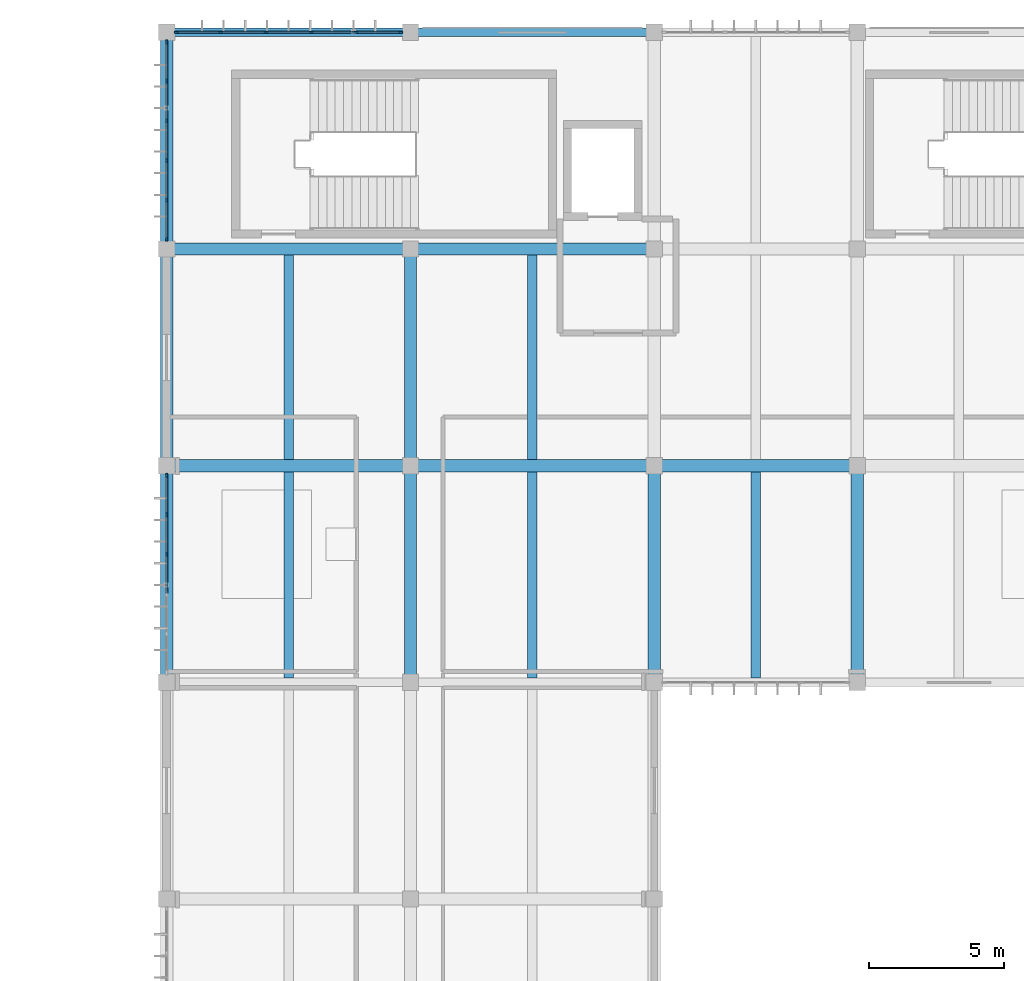
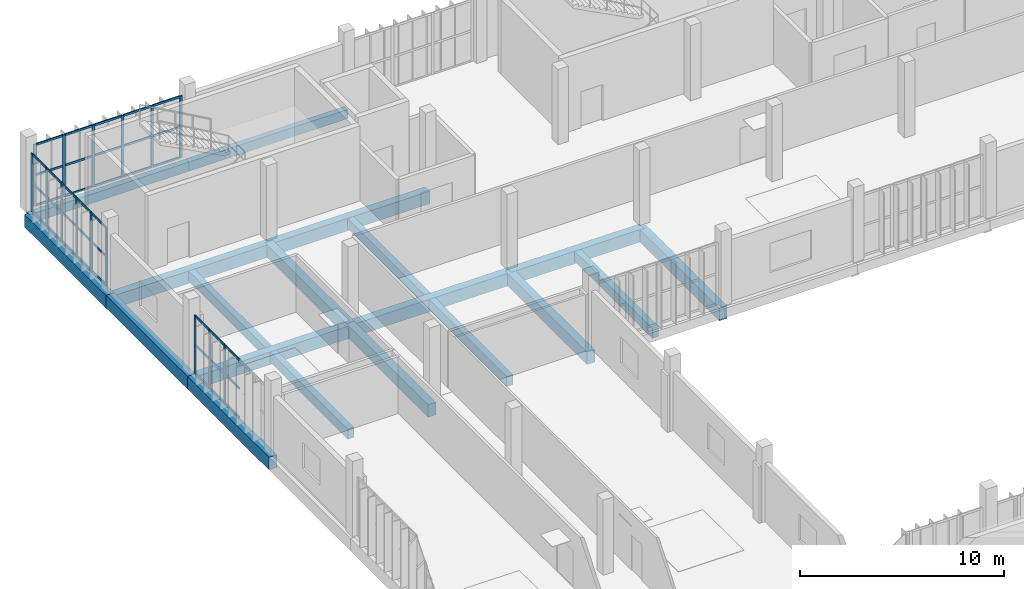
# One storey, part 14 of 81: 54 members, 19 beams, 3 elements without a shape of their own.
"""IFC4 building model written with IfcOpenShell, lengths in metres."""

from ifc_helpers import new_model, si_unit, direction, frame, origin, origin_2d, place, context, subcontext, project, spatial, rectangle, extrude, material, material_profile, profile_set, type_object, element, aggregate, save


model = new_model("IFC4")

# Units and contexts
model_context = context("Model", 3, precision=1e-05, world=origin(), true_north=direction((0.0, 1.0)))
body_context = subcontext(model_context, "Body", "Model", "MODEL_VIEW")
ifc_project = project(units=[si_unit("LENGTHUNIT", "METRE"), si_unit("AREAUNIT", "SQUARE_METRE"), si_unit("VOLUMEUNIT", "CUBIC_METRE"), si_unit("PLANEANGLEUNIT", "RADIAN"), si_unit("MASSUNIT", "GRAM", prefix="KILO")], contexts=[model_context])

# Site, building, storey
site_placement = place(None, origin())
site = spatial("IfcSite", under=ifc_project, at=site_placement, CompositionType="ELEMENT")
building_placement = place(site_placement, origin())
building = spatial("IfcBuilding", under=site, at=building_placement, Name="Vourika Railside Aquatics Centre", CompositionType="ELEMENT")
storey_placement = place(building_placement, frame((0.0, 0.0, 4.800048828125)))
storey = spatial("IfcBuildingStorey", under=building, at=storey_placement, Name="L01", CompositionType="ELEMENT", Elevation=4.800048828125)

# Beams
ifc_material_1 = material(Name="Concrete C35/45", Category="concrete")
ifc_material_profile_1 = material_profile(ifc_material_1, rectangle(XDim=0.449951171875, YDim=0.75, at=origin_2d()), Name="RC 450x750")
ifc_profile_set_1 = profile_set([ifc_material_profile_1], Name="Concrete C35/45")
beam_type_1 = type_object("IfcBeamType", Name="BM-GIRD-450x750", PredefinedType="BEAM", material=ifc_profile_set_1)
for number, where, z_axis, x_axis, name in (
    (1, (18.0, 100.0, -0.675048828125), (1.0, 0.0, 0.0), (0.0, 1.0, 0.0), "Floor Beam GX-L01-124"),
    (2, (27.0, 100.0, -0.675048828125), (1.0, 0.0, 0.0), (0.0, 1.0, 0.0), "Floor Beam GX-L01-125"),
):
    element("IfcBeam", number, at=place(storey_placement, frame(where, z_axis=z_axis, x_axis=x_axis)), inside=storey, type_object=beam_type_1, Name=name, PredefinedType="BEAM", context=body_context, shape_type="SweptSolid", body=[
        extrude(rectangle(XDim=0.449951171875, YDim=0.75, at=origin_2d()), origin(), (0.0, 0.0, 1.0), 9.0),
    ])
beam_placement = place(storey_placement, frame((36.0, 100.0, -0.675048828125), z_axis=(1.0, 0.0, 0.0), x_axis=(0.0, 1.0, 0.0)))
element("IfcBeam", 3, at=beam_placement, inside=storey, type_object=beam_type_1, Name="Floor Beam GX-L01-126", PredefinedType="BEAM", context=body_context, shape_type="SweptSolid", body=[
    extrude(rectangle(XDim=0.449951171875, YDim=0.75, at=origin_2d()), origin(), (0.0, 0.0, 1.0), 7.5),
])
for number, where, z_axis, x_axis, name in (
    (4, (18.0, 108.0, -0.675048828125), (1.0, 0.0, 0.0), (0.0, 1.0, 0.0), "Floor Beam GX-L01-139"),
    (5, (27.0, 108.0, -0.675048828125), (1.0, 0.0, 0.0), (0.0, 1.0, 0.0), "Floor Beam GX-L01-140"),
):
    element("IfcBeam", number, at=place(storey_placement, frame(where, z_axis=z_axis, x_axis=x_axis)), inside=storey, type_object=beam_type_1, Name=name, PredefinedType="BEAM", context=body_context, shape_type="SweptSolid", body=[
        extrude(rectangle(XDim=0.449951171875, YDim=0.75, at=origin_2d()), origin(), (0.0, 0.0, 1.0), 9.0),
    ])
for number, where, z_axis, x_axis, name in (
    (6, (18.0, 92.0, -0.675048828125), (0.0, 1.0, 0.0), (-1.0, 0.0, 0.0), "Floor Girder GY-L01-178"),
    (7, (18.0, 100.0, -0.675048828125), (0.0, 1.0, 0.0), (-1.0, 0.0, 0.0), "Floor Girder GY-L01-179"),
    (8, (18.0, 108.0, -0.675048828125), (0.0, 1.0, 0.0), (-1.0, 0.0, 0.0), "Floor Girder GY-L01-180"),
    (9, (27.0, 92.0, -0.675048828125), (0.0, 1.0, 0.0), (-1.0, 0.0, 0.0), "Floor Girder GY-L01-186"),
    (10, (27.0, 100.0, -0.675048828125), (0.0, 1.0, 0.0), (-1.0, 0.0, 0.0), "Floor Girder GY-L01-187"),
    (11, (36.0, 92.0, -0.675048828125), (0.0, 1.0, 0.0), (-1.0, 0.0, 0.0), "Floor Girder GY-L01-199"),
    (12, (43.5, 92.0, -0.675048828125), (0.0, 1.0, 0.0), (-1.0, 0.0, 0.0), "Floor Girder GY-L01-204"),
):
    element("IfcBeam", number, at=place(storey_placement, frame(where, z_axis=z_axis, x_axis=x_axis)), inside=storey, type_object=beam_type_1, Name=name, PredefinedType="BEAM", context=body_context, shape_type="SweptSolid", body=[
        extrude(rectangle(XDim=0.449951171875, YDim=0.75, at=origin_2d()), origin(), (0.0, 0.0, 1.0), 8.0),
    ])
ifc_material_profile_2 = material_profile(ifc_material_1, rectangle(XDim=0.35009765625, YDim=0.60009765625, at=origin_2d()), Name="RC 350x600")
ifc_profile_set_2 = profile_set([ifc_material_profile_2], Name="Concrete C35/45")
beam_type_2 = type_object("IfcBeamType", Name="BM-SEC-350x600", PredefinedType="JOIST", material=ifc_profile_set_2)
for number, where, z_axis, x_axis, name in (
    (13, (22.5, 92.159912109375, -0.60009765625), (0.0, 1.0, 0.0), (-1.0, 0.0, 0.0), "Secondary Joist JY-L01-351"),
    (14, (31.5, 92.159912109375, -0.60009765625), (0.0, 1.0, 0.0), (-1.0, 0.0, 0.0), "Secondary Joist JY-L01-352"),
    (15, (39.75, 92.159912109375, -0.60009765625), (0.0, 1.0, 0.0), (-1.0, 0.0, 0.0), "Secondary Joist JY-L01-353"),
):
    element("IfcBeam", number, at=place(storey_placement, frame(where, z_axis=z_axis, x_axis=x_axis)), inside=storey, type_object=beam_type_2, Name=name, PredefinedType="JOIST", context=body_context, shape_type="SweptSolid", body=[
        extrude(rectangle(XDim=0.35009765625, YDim=0.60009765625, at=origin_2d()), origin(), (0.0, 0.0, 1.0), 7.614990234375),
    ])
for number, where, z_axis, x_axis, name in (
    (16, (22.5, 100.22509765625, -0.60009765625), (0.0, 1.0, 0.0), (-1.0, 0.0, 0.0), "Secondary Joist JY-L01-366"),
    (17, (31.5, 100.22509765625, -0.60009765625), (0.0, 1.0, 0.0), (-1.0, 0.0, 0.0), "Secondary Joist JY-L01-367"),
):
    element("IfcBeam", number, at=place(storey_placement, frame(where, z_axis=z_axis, x_axis=x_axis)), inside=storey, type_object=beam_type_2, Name=name, PredefinedType="JOIST", context=body_context, shape_type="SweptSolid", body=[
        extrude(rectangle(XDim=0.35009765625, YDim=0.60009765625, at=origin_2d()), origin(), (0.0, 0.0, 1.0), 7.5498046875),
    ])
ifc_material_profile_3 = material_profile(ifc_material_1, rectangle(XDim=0.320068359375, YDim=0.550048828125, at=origin_2d()), Name="RC 320x550")
ifc_profile_set_3 = profile_set([ifc_material_profile_3], Name="Concrete C35/45")
beam_type_3 = type_object("IfcBeamType", Name="BM-SPAN-320x550", PredefinedType="SPANDREL", material=ifc_profile_set_3)
for number, where, z_axis, x_axis, name in (
    (18, (18.0, 116.0, -0.574951171875), (1.0, 0.0, 0.0), (0.0, 1.0, 0.0), "Floor Beam GX-L01-154"),
    (19, (27.0, 116.0, -0.574951171875), (1.0, 0.0, 0.0), (0.0, 1.0, 0.0), "Floor Beam GX-L01-155"),
):
    element("IfcBeam", number, at=place(storey_placement, frame(where, z_axis=z_axis, x_axis=x_axis)), inside=storey, type_object=beam_type_3, Name=name, PredefinedType="SPANDREL", context=body_context, shape_type="SweptSolid", body=[
        extrude(rectangle(XDim=0.320068359375, YDim=0.550048828125, at=origin_2d()), origin(), (0.0, 0.0, 1.0), 9.0),
    ])

# Curtain wall, members
ifc_material_2 = material(Name="Anodized thermally broken aluminium", Category="aluminium")
curtain_wall_type = type_object("IfcCurtainWallType", Name="CW-FIT1", PredefinedType="NOTDEFINED", material=ifc_material_2)
curtain_wall_1_placement = place(storey_placement, origin())
curtain_wall_1 = element("IfcCurtainWall", 20, at=curtain_wall_1_placement, inside=storey, type_object=curtain_wall_type, Name="North Boulevard Curtain Wall L01-1", PredefinedType="NOTDEFINED")
ifc_material_3 = material(Name="Anodized aluminium mullion", Category="aluminium")
ifc_material_profile_4 = material_profile(ifc_material_3, rectangle(XDim=0.06201171875, YDim=0.156005859375, at=origin_2d()), Name="ALU-M 62x156")
ifc_profile_set_4 = profile_set([ifc_material_profile_4], Name="Anodized aluminium mullion")
member_type_1 = type_object("IfcMemberType", Name="CWM-FIT1", PredefinedType="MULLION", material=ifc_profile_set_4)
member_1_placement = place(storey_placement, frame((26.638916015625, 116.0, 0.0), z_axis=(0.0, 0.0, 1.0), x_axis=(0.0, -1.0, 0.0)))
member_1 = element("IfcMember", 21, at=member_1_placement, type_object=member_type_1, Name="CW15 mullion 1", PredefinedType="MULLION", context=body_context, shape_type="SweptSolid", body=[
    extrude(rectangle(XDim=0.06201171875, YDim=0.156005859375, at=origin_2d()), origin(), (0.0, 0.0, 1.0), 3.699951171875),
])
member_2_placement = place(storey_placement, frame((25.001953125, 116.0, 0.0), z_axis=(0.0, 0.0, 1.0), x_axis=(0.0, -1.0, 0.0)))
member_2 = element("IfcMember", 22, at=member_2_placement, type_object=member_type_1, Name="CW15 mullion 2", PredefinedType="MULLION", context=body_context, shape_type="SweptSolid", body=[
    extrude(rectangle(XDim=0.06201171875, YDim=0.156005859375, at=origin_2d()), origin(), (0.0, 0.0, 1.0), 3.699951171875),
])
member_3_placement = place(storey_placement, frame((23.333984375, 116.0, 0.0), z_axis=(0.0, 0.0, 1.0), x_axis=(0.0, -1.0, 0.0)))
member_3 = element("IfcMember", 23, at=member_3_placement, type_object=member_type_1, Name="CW15 mullion 3", PredefinedType="MULLION", context=body_context, shape_type="SweptSolid", body=[
    extrude(rectangle(XDim=0.06201171875, YDim=0.156005859375, at=origin_2d()), origin(), (0.0, 0.0, 1.0), 3.699951171875),
])
member_4_placement = place(storey_placement, frame((21.666015625, 116.0, 0.0), z_axis=(0.0, 0.0, 1.0), x_axis=(0.0, -1.0, 0.0)))
member_4 = element("IfcMember", 24, at=member_4_placement, type_object=member_type_1, Name="CW15 mullion 4", PredefinedType="MULLION", context=body_context, shape_type="SweptSolid", body=[
    extrude(rectangle(XDim=0.06201171875, YDim=0.156005859375, at=origin_2d()), origin(), (0.0, 0.0, 1.0), 3.699951171875),
])
member_5_placement = place(storey_placement, frame((19.998046875, 116.0, 0.0), z_axis=(0.0, 0.0, 1.0), x_axis=(0.0, -1.0, 0.0)))
member_5 = element("IfcMember", 25, at=member_5_placement, type_object=member_type_1, Name="CW15 mullion 5", PredefinedType="MULLION", context=body_context, shape_type="SweptSolid", body=[
    extrude(rectangle(XDim=0.06201171875, YDim=0.156005859375, at=origin_2d()), origin(), (0.0, 0.0, 1.0), 3.699951171875),
])
member_6_placement = place(storey_placement, frame((18.361083984375, 116.0, 0.0), z_axis=(0.0, 0.0, 1.0), x_axis=(0.0, -1.0, 0.0)))
member_6 = element("IfcMember", 26, at=member_6_placement, type_object=member_type_1, Name="CW15 mullion 6", PredefinedType="MULLION", context=body_context, shape_type="SweptSolid", body=[
    extrude(rectangle(XDim=0.06201171875, YDim=0.156005859375, at=origin_2d()), origin(), (0.0, 0.0, 1.0), 3.699951171875),
])

curtain_wall_2_placement = place(storey_placement, origin())
curtain_wall_2 = element("IfcCurtainWall", 27, at=curtain_wall_2_placement, inside=storey, type_object=curtain_wall_type, Name="Fitness West Boulevard Curtain Wall L01-5", PredefinedType="NOTDEFINED")
member_7_placement = place(storey_placement, frame((18.0, 99.638916015625, 0.0), z_axis=(0.0, 0.0, 1.0), x_axis=(1.0, 0.0, 0.0)))
member_7 = element("IfcMember", 28, at=member_7_placement, type_object=member_type_1, Name="CW15 mullion 1", PredefinedType="MULLION", context=body_context, shape_type="SweptSolid", body=[
    extrude(rectangle(XDim=0.06201171875, YDim=0.156005859375, at=origin_2d()), origin(), (0.0, 0.0, 1.0), 3.5),
])
member_8_placement = place(storey_placement, frame((18.0, 98.201904296875, 0.0), z_axis=(0.0, 0.0, 1.0), x_axis=(1.0, 0.0, 0.0)))
member_8 = element("IfcMember", 29, at=member_8_placement, type_object=member_type_1, Name="CW15 mullion 2", PredefinedType="MULLION", context=body_context, shape_type="SweptSolid", body=[
    extrude(rectangle(XDim=0.06201171875, YDim=0.156005859375, at=origin_2d()), origin(), (0.0, 0.0, 1.0), 3.5),
])
member_9_placement = place(storey_placement, frame((18.0, 96.73388671875, 0.0), z_axis=(0.0, 0.0, 1.0), x_axis=(1.0, 0.0, 0.0)))
member_9 = element("IfcMember", 30, at=member_9_placement, type_object=member_type_1, Name="CW15 mullion 3", PredefinedType="MULLION", context=body_context, shape_type="SweptSolid", body=[
    extrude(rectangle(XDim=0.06201171875, YDim=0.156005859375, at=origin_2d()), origin(), (0.0, 0.0, 1.0), 3.5),
])

curtain_wall_3_placement = place(storey_placement, origin())
curtain_wall_3 = element("IfcCurtainWall", 31, at=curtain_wall_3_placement, inside=storey, type_object=curtain_wall_type, Name="Fitness West Boulevard Curtain Wall L01-7", PredefinedType="NOTDEFINED")
member_10_placement = place(storey_placement, frame((18.0, 115.638916015625, 0.0), z_axis=(0.0, 0.0, 1.0), x_axis=(1.0, 0.0, 0.0)))
member_10 = element("IfcMember", 32, at=member_10_placement, type_object=member_type_1, Name="CW15 mullion 1", PredefinedType="MULLION", context=body_context, shape_type="SweptSolid", body=[
    extrude(rectangle(XDim=0.06201171875, YDim=0.156005859375, at=origin_2d()), origin(), (0.0, 0.0, 1.0), 3.5),
])
member_11_placement = place(storey_placement, frame((18.0, 114.201904296875, 0.0), z_axis=(0.0, 0.0, 1.0), x_axis=(1.0, 0.0, 0.0)))
member_11 = element("IfcMember", 33, at=member_11_placement, type_object=member_type_1, Name="CW15 mullion 2", PredefinedType="MULLION", context=body_context, shape_type="SweptSolid", body=[
    extrude(rectangle(XDim=0.06201171875, YDim=0.156005859375, at=origin_2d()), origin(), (0.0, 0.0, 1.0), 3.5),
])
member_12_placement = place(storey_placement, frame((18.0, 112.73388671875, 0.0), z_axis=(0.0, 0.0, 1.0), x_axis=(1.0, 0.0, 0.0)))
member_12 = element("IfcMember", 34, at=member_12_placement, type_object=member_type_1, Name="CW15 mullion 3", PredefinedType="MULLION", context=body_context, shape_type="SweptSolid", body=[
    extrude(rectangle(XDim=0.06201171875, YDim=0.156005859375, at=origin_2d()), origin(), (0.0, 0.0, 1.0), 3.5),
])
member_13_placement = place(storey_placement, frame((18.0, 111.26611328125, 0.0), z_axis=(0.0, 0.0, 1.0), x_axis=(1.0, 0.0, 0.0)))
member_13 = element("IfcMember", 35, at=member_13_placement, type_object=member_type_1, Name="CW15 mullion 4", PredefinedType="MULLION", context=body_context, shape_type="SweptSolid", body=[
    extrude(rectangle(XDim=0.06201171875, YDim=0.156005859375, at=origin_2d()), origin(), (0.0, 0.0, 1.0), 3.5),
])
member_14_placement = place(storey_placement, frame((18.0, 109.798095703125, 0.0), z_axis=(0.0, 0.0, 1.0), x_axis=(1.0, 0.0, 0.0)))
member_14 = element("IfcMember", 36, at=member_14_placement, type_object=member_type_1, Name="CW15 mullion 5", PredefinedType="MULLION", context=body_context, shape_type="SweptSolid", body=[
    extrude(rectangle(XDim=0.06201171875, YDim=0.156005859375, at=origin_2d()), origin(), (0.0, 0.0, 1.0), 3.5),
])
member_15_placement = place(storey_placement, frame((18.0, 108.361083984375, 0.0), z_axis=(0.0, 0.0, 1.0), x_axis=(1.0, 0.0, 0.0)))
member_15 = element("IfcMember", 37, at=member_15_placement, type_object=member_type_1, Name="CW15 mullion 6", PredefinedType="MULLION", context=body_context, shape_type="SweptSolid", body=[
    extrude(rectangle(XDim=0.06201171875, YDim=0.156005859375, at=origin_2d()), origin(), (0.0, 0.0, 1.0), 3.5),
])

# Member
ifc_material_4 = material(Name="Anodized aluminium transom", Category="aluminium")
ifc_material_profile_5 = material_profile(ifc_material_4, rectangle(XDim=0.06201171875, YDim=0.1220703125, at=origin_2d()), Name="ALU-T 62x122")
ifc_profile_set_5 = profile_set([ifc_material_profile_5], Name="Anodized aluminium transom")
member_type_2 = type_object("IfcMemberType", Name="CWT-FIT1", PredefinedType="USERDEFINED", material=ifc_profile_set_5)
member_16_placement = place(storey_placement, frame((26.60791015625, 116.0, 0.031005859375), z_axis=(-1.0, 0.0, 0.0), x_axis=(0.0, -1.0, 0.0)))
member_16 = element("IfcMember", 38, at=member_16_placement, type_object=member_type_2, Name="CW15 transom 1.1", ObjectType="TRANSOM", PredefinedType="USERDEFINED", context=body_context, shape_type="SweptSolid", body=[
    extrude(rectangle(XDim=0.06201171875, YDim=0.1220703125, at=origin_2d()), origin(), (0.0, 0.0, 1.0), 1.574951171875),
])

member_17_placement = place(storey_placement, frame((26.60791015625, 116.0, 1.849853515625), z_axis=(-1.0, 0.0, 0.0), x_axis=(0.0, -1.0, 0.0)))
member_17 = element("IfcMember", 39, at=member_17_placement, type_object=member_type_2, Name="CW15 transom 1.2", ObjectType="TRANSOM", PredefinedType="USERDEFINED", context=body_context, shape_type="SweptSolid", body=[
    extrude(rectangle(XDim=0.06201171875, YDim=0.1220703125, at=origin_2d()), origin(), (0.0, 0.0, 1.0), 1.574951171875),
])

member_18_placement = place(storey_placement, frame((26.60791015625, 116.0, 3.6689453125), z_axis=(-1.0, 0.0, 0.0), x_axis=(0.0, -1.0, 0.0)))
member_18 = element("IfcMember", 40, at=member_18_placement, type_object=member_type_2, Name="CW15 transom 1.3", ObjectType="TRANSOM", PredefinedType="USERDEFINED", context=body_context, shape_type="SweptSolid", body=[
    extrude(rectangle(XDim=0.06201171875, YDim=0.1220703125, at=origin_2d()), origin(), (0.0, 0.0, 1.0), 1.574951171875),
])

member_19_placement = place(storey_placement, frame((24.970947265625, 116.0, 0.031005859375), z_axis=(-1.0, 0.0, 0.0), x_axis=(0.0, -1.0, 0.0)))
member_19 = element("IfcMember", 41, at=member_19_placement, type_object=member_type_2, Name="CW15 transom 2.1", ObjectType="TRANSOM", PredefinedType="USERDEFINED", context=body_context, shape_type="SweptSolid", body=[
    extrude(rectangle(XDim=0.06201171875, YDim=0.1220703125, at=origin_2d()), origin(), (0.0, 0.0, 1.0), 1.60595703125),
])

member_20_placement = place(storey_placement, frame((24.970947265625, 116.0, 1.849853515625), z_axis=(-1.0, 0.0, 0.0), x_axis=(0.0, -1.0, 0.0)))
member_20 = element("IfcMember", 42, at=member_20_placement, type_object=member_type_2, Name="CW15 transom 2.2", ObjectType="TRANSOM", PredefinedType="USERDEFINED", context=body_context, shape_type="SweptSolid", body=[
    extrude(rectangle(XDim=0.06201171875, YDim=0.1220703125, at=origin_2d()), origin(), (0.0, 0.0, 1.0), 1.60595703125),
])

member_21_placement = place(storey_placement, frame((24.970947265625, 116.0, 3.6689453125), z_axis=(-1.0, 0.0, 0.0), x_axis=(0.0, -1.0, 0.0)))
member_21 = element("IfcMember", 43, at=member_21_placement, type_object=member_type_2, Name="CW15 transom 2.3", ObjectType="TRANSOM", PredefinedType="USERDEFINED", context=body_context, shape_type="SweptSolid", body=[
    extrude(rectangle(XDim=0.06201171875, YDim=0.1220703125, at=origin_2d()), origin(), (0.0, 0.0, 1.0), 1.60595703125),
])

member_22_placement = place(storey_placement, frame((23.302978515625, 116.0, 0.031005859375), z_axis=(-1.0, 0.0, 0.0), x_axis=(0.0, -1.0, 0.0)))
member_22 = element("IfcMember", 44, at=member_22_placement, type_object=member_type_2, Name="CW15 transom 3.1", ObjectType="TRANSOM", PredefinedType="USERDEFINED", context=body_context, shape_type="SweptSolid", body=[
    extrude(rectangle(XDim=0.06201171875, YDim=0.1220703125, at=origin_2d()), origin(), (0.0, 0.0, 1.0), 1.60595703125),
])

member_23_placement = place(storey_placement, frame((23.302978515625, 116.0, 1.849853515625), z_axis=(-1.0, 0.0, 0.0), x_axis=(0.0, -1.0, 0.0)))
member_23 = element("IfcMember", 45, at=member_23_placement, type_object=member_type_2, Name="CW15 transom 3.2", ObjectType="TRANSOM", PredefinedType="USERDEFINED", context=body_context, shape_type="SweptSolid", body=[
    extrude(rectangle(XDim=0.06201171875, YDim=0.1220703125, at=origin_2d()), origin(), (0.0, 0.0, 1.0), 1.60595703125),
])

member_24_placement = place(storey_placement, frame((23.302978515625, 116.0, 3.6689453125), z_axis=(-1.0, 0.0, 0.0), x_axis=(0.0, -1.0, 0.0)))
member_24 = element("IfcMember", 46, at=member_24_placement, type_object=member_type_2, Name="CW15 transom 3.3", ObjectType="TRANSOM", PredefinedType="USERDEFINED", context=body_context, shape_type="SweptSolid", body=[
    extrude(rectangle(XDim=0.06201171875, YDim=0.1220703125, at=origin_2d()), origin(), (0.0, 0.0, 1.0), 1.60595703125),
])

member_25_placement = place(storey_placement, frame((21.635009765625, 116.0, 0.031005859375), z_axis=(-1.0, 0.0, 0.0), x_axis=(0.0, -1.0, 0.0)))
member_25 = element("IfcMember", 47, at=member_25_placement, type_object=member_type_2, Name="CW15 transom 4.1", ObjectType="TRANSOM", PredefinedType="USERDEFINED", context=body_context, shape_type="SweptSolid", body=[
    extrude(rectangle(XDim=0.06201171875, YDim=0.1220703125, at=origin_2d()), origin(), (0.0, 0.0, 1.0), 1.60595703125),
])

member_26_placement = place(storey_placement, frame((21.635009765625, 116.0, 1.849853515625), z_axis=(-1.0, 0.0, 0.0), x_axis=(0.0, -1.0, 0.0)))
member_26 = element("IfcMember", 48, at=member_26_placement, type_object=member_type_2, Name="CW15 transom 4.2", ObjectType="TRANSOM", PredefinedType="USERDEFINED", context=body_context, shape_type="SweptSolid", body=[
    extrude(rectangle(XDim=0.06201171875, YDim=0.1220703125, at=origin_2d()), origin(), (0.0, 0.0, 1.0), 1.60595703125),
])

member_27_placement = place(storey_placement, frame((21.635009765625, 116.0, 3.6689453125), z_axis=(-1.0, 0.0, 0.0), x_axis=(0.0, -1.0, 0.0)))
member_27 = element("IfcMember", 49, at=member_27_placement, type_object=member_type_2, Name="CW15 transom 4.3", ObjectType="TRANSOM", PredefinedType="USERDEFINED", context=body_context, shape_type="SweptSolid", body=[
    extrude(rectangle(XDim=0.06201171875, YDim=0.1220703125, at=origin_2d()), origin(), (0.0, 0.0, 1.0), 1.60595703125),
])

member_28_placement = place(storey_placement, frame((19.967041015625, 116.0, 0.031005859375), z_axis=(-1.0, 0.0, 0.0), x_axis=(0.0, -1.0, 0.0)))
member_28 = element("IfcMember", 50, at=member_28_placement, type_object=member_type_2, Name="CW15 transom 5.1", ObjectType="TRANSOM", PredefinedType="USERDEFINED", context=body_context, shape_type="SweptSolid", body=[
    extrude(rectangle(XDim=0.06201171875, YDim=0.1220703125, at=origin_2d()), origin(), (0.0, 0.0, 1.0), 1.574951171875),
])

member_29_placement = place(storey_placement, frame((19.967041015625, 116.0, 1.849853515625), z_axis=(-1.0, 0.0, 0.0), x_axis=(0.0, -1.0, 0.0)))
member_29 = element("IfcMember", 51, at=member_29_placement, type_object=member_type_2, Name="CW15 transom 5.2", ObjectType="TRANSOM", PredefinedType="USERDEFINED", context=body_context, shape_type="SweptSolid", body=[
    extrude(rectangle(XDim=0.06201171875, YDim=0.1220703125, at=origin_2d()), origin(), (0.0, 0.0, 1.0), 1.574951171875),
])

member_30_placement = place(storey_placement, frame((19.967041015625, 116.0, 3.6689453125), z_axis=(-1.0, 0.0, 0.0), x_axis=(0.0, -1.0, 0.0)))
member_30 = element("IfcMember", 52, at=member_30_placement, type_object=member_type_2, Name="CW15 transom 5.3", ObjectType="TRANSOM", PredefinedType="USERDEFINED", context=body_context, shape_type="SweptSolid", body=[
    extrude(rectangle(XDim=0.06201171875, YDim=0.1220703125, at=origin_2d()), origin(), (0.0, 0.0, 1.0), 1.574951171875),
])

aggregate(curtain_wall_1, [member_1, member_2, member_3, member_4, member_5, member_6, member_16, member_17, member_18, member_19, member_20, member_21, member_22, member_23, member_24, member_25, member_26, member_27, member_28, member_29, member_30])

member_31_placement = place(storey_placement, frame((18.0, 99.60791015625, 0.031005859375), z_axis=(0.0, -1.0, 0.0), x_axis=(1.0, 0.0, 0.0)))
member_31 = element("IfcMember", 53, at=member_31_placement, type_object=member_type_2, Name="CW15 transom 1.1", ObjectType="TRANSOM", PredefinedType="USERDEFINED", context=body_context, shape_type="SweptSolid", body=[
    extrude(rectangle(XDim=0.06201171875, YDim=0.1220703125, at=origin_2d()), origin(), (0.0, 0.0, 1.0), 1.375),
])

member_32_placement = place(storey_placement, frame((18.0, 99.60791015625, 1.75), z_axis=(0.0, -1.0, 0.0), x_axis=(1.0, 0.0, 0.0)))
member_32 = element("IfcMember", 54, at=member_32_placement, type_object=member_type_2, Name="CW15 transom 1.2", ObjectType="TRANSOM", PredefinedType="USERDEFINED", context=body_context, shape_type="SweptSolid", body=[
    extrude(rectangle(XDim=0.06201171875, YDim=0.1220703125, at=origin_2d()), origin(), (0.0, 0.0, 1.0), 1.375),
])

member_33_placement = place(storey_placement, frame((18.0, 99.60791015625, 3.468994140625), z_axis=(0.0, -1.0, 0.0), x_axis=(1.0, 0.0, 0.0)))
member_33 = element("IfcMember", 55, at=member_33_placement, type_object=member_type_2, Name="CW15 transom 1.3", ObjectType="TRANSOM", PredefinedType="USERDEFINED", context=body_context, shape_type="SweptSolid", body=[
    extrude(rectangle(XDim=0.06201171875, YDim=0.1220703125, at=origin_2d()), origin(), (0.0, 0.0, 1.0), 1.375),
])

member_34_placement = place(storey_placement, frame((18.0, 98.1708984375, 0.031005859375), z_axis=(0.0, -1.0, 0.0), x_axis=(1.0, 0.0, 0.0)))
member_34 = element("IfcMember", 56, at=member_34_placement, type_object=member_type_2, Name="CW15 transom 2.1", ObjectType="TRANSOM", PredefinedType="USERDEFINED", context=body_context, shape_type="SweptSolid", body=[
    extrude(rectangle(XDim=0.06201171875, YDim=0.1220703125, at=origin_2d()), origin(), (0.0, 0.0, 1.0), 1.406005859375),
])

member_35_placement = place(storey_placement, frame((18.0, 98.1708984375, 1.75), z_axis=(0.0, -1.0, 0.0), x_axis=(1.0, 0.0, 0.0)))
member_35 = element("IfcMember", 57, at=member_35_placement, type_object=member_type_2, Name="CW15 transom 2.2", ObjectType="TRANSOM", PredefinedType="USERDEFINED", context=body_context, shape_type="SweptSolid", body=[
    extrude(rectangle(XDim=0.06201171875, YDim=0.1220703125, at=origin_2d()), origin(), (0.0, 0.0, 1.0), 1.406005859375),
])

member_36_placement = place(storey_placement, frame((18.0, 98.1708984375, 3.468994140625), z_axis=(0.0, -1.0, 0.0), x_axis=(1.0, 0.0, 0.0)))
member_36 = element("IfcMember", 58, at=member_36_placement, type_object=member_type_2, Name="CW15 transom 2.3", ObjectType="TRANSOM", PredefinedType="USERDEFINED", context=body_context, shape_type="SweptSolid", body=[
    extrude(rectangle(XDim=0.06201171875, YDim=0.1220703125, at=origin_2d()), origin(), (0.0, 0.0, 1.0), 1.406005859375),
])

member_37_placement = place(storey_placement, frame((18.0, 96.702880859375, 0.031005859375), z_axis=(0.0, -1.0, 0.0), x_axis=(1.0, 0.0, 0.0)))
member_37 = element("IfcMember", 59, at=member_37_placement, type_object=member_type_2, Name="CW15 transom 3.1", ObjectType="TRANSOM", PredefinedType="USERDEFINED", context=body_context, shape_type="SweptSolid", body=[
    extrude(rectangle(XDim=0.06201171875, YDim=0.1220703125, at=origin_2d()), origin(), (0.0, 0.0, 1.0), 1.40576171875),
])

member_38_placement = place(storey_placement, frame((18.0, 96.702880859375, 1.75), z_axis=(0.0, -1.0, 0.0), x_axis=(1.0, 0.0, 0.0)))
member_38 = element("IfcMember", 60, at=member_38_placement, type_object=member_type_2, Name="CW15 transom 3.2", ObjectType="TRANSOM", PredefinedType="USERDEFINED", context=body_context, shape_type="SweptSolid", body=[
    extrude(rectangle(XDim=0.06201171875, YDim=0.1220703125, at=origin_2d()), origin(), (0.0, 0.0, 1.0), 1.40576171875),
])

member_39_placement = place(storey_placement, frame((18.0, 96.702880859375, 3.468994140625), z_axis=(0.0, -1.0, 0.0), x_axis=(1.0, 0.0, 0.0)))
member_39 = element("IfcMember", 61, at=member_39_placement, type_object=member_type_2, Name="CW15 transom 3.3", ObjectType="TRANSOM", PredefinedType="USERDEFINED", context=body_context, shape_type="SweptSolid", body=[
    extrude(rectangle(XDim=0.06201171875, YDim=0.1220703125, at=origin_2d()), origin(), (0.0, 0.0, 1.0), 1.40576171875),
])

aggregate(curtain_wall_2, [member_7, member_8, member_9, member_31, member_32, member_33, member_34, member_35, member_36, member_37, member_38, member_39])

member_40_placement = place(storey_placement, frame((18.0, 115.60791015625, 0.031005859375), z_axis=(0.0, -1.0, 0.0), x_axis=(1.0, 0.0, 0.0)))
member_40 = element("IfcMember", 62, at=member_40_placement, type_object=member_type_2, Name="CW15 transom 1.1", ObjectType="TRANSOM", PredefinedType="USERDEFINED", context=body_context, shape_type="SweptSolid", body=[
    extrude(rectangle(XDim=0.06201171875, YDim=0.1220703125, at=origin_2d()), origin(), (0.0, 0.0, 1.0), 1.375),
])

member_41_placement = place(storey_placement, frame((18.0, 115.60791015625, 1.75), z_axis=(0.0, -1.0, 0.0), x_axis=(1.0, 0.0, 0.0)))
member_41 = element("IfcMember", 63, at=member_41_placement, type_object=member_type_2, Name="CW15 transom 1.2", ObjectType="TRANSOM", PredefinedType="USERDEFINED", context=body_context, shape_type="SweptSolid", body=[
    extrude(rectangle(XDim=0.06201171875, YDim=0.1220703125, at=origin_2d()), origin(), (0.0, 0.0, 1.0), 1.375),
])

member_42_placement = place(storey_placement, frame((18.0, 115.60791015625, 3.468994140625), z_axis=(0.0, -1.0, 0.0), x_axis=(1.0, 0.0, 0.0)))
member_42 = element("IfcMember", 64, at=member_42_placement, type_object=member_type_2, Name="CW15 transom 1.3", ObjectType="TRANSOM", PredefinedType="USERDEFINED", context=body_context, shape_type="SweptSolid", body=[
    extrude(rectangle(XDim=0.06201171875, YDim=0.1220703125, at=origin_2d()), origin(), (0.0, 0.0, 1.0), 1.375),
])

member_43_placement = place(storey_placement, frame((18.0, 114.1708984375, 0.031005859375), z_axis=(0.0, -1.0, 0.0), x_axis=(1.0, 0.0, 0.0)))
member_43 = element("IfcMember", 65, at=member_43_placement, type_object=member_type_2, Name="CW15 transom 2.1", ObjectType="TRANSOM", PredefinedType="USERDEFINED", context=body_context, shape_type="SweptSolid", body=[
    extrude(rectangle(XDim=0.06201171875, YDim=0.1220703125, at=origin_2d()), origin(), (0.0, 0.0, 1.0), 1.406005859375),
])

member_44_placement = place(storey_placement, frame((18.0, 114.1708984375, 1.75), z_axis=(0.0, -1.0, 0.0), x_axis=(1.0, 0.0, 0.0)))
member_44 = element("IfcMember", 66, at=member_44_placement, type_object=member_type_2, Name="CW15 transom 2.2", ObjectType="TRANSOM", PredefinedType="USERDEFINED", context=body_context, shape_type="SweptSolid", body=[
    extrude(rectangle(XDim=0.06201171875, YDim=0.1220703125, at=origin_2d()), origin(), (0.0, 0.0, 1.0), 1.406005859375),
])

member_45_placement = place(storey_placement, frame((18.0, 114.1708984375, 3.468994140625), z_axis=(0.0, -1.0, 0.0), x_axis=(1.0, 0.0, 0.0)))
member_45 = element("IfcMember", 67, at=member_45_placement, type_object=member_type_2, Name="CW15 transom 2.3", ObjectType="TRANSOM", PredefinedType="USERDEFINED", context=body_context, shape_type="SweptSolid", body=[
    extrude(rectangle(XDim=0.06201171875, YDim=0.1220703125, at=origin_2d()), origin(), (0.0, 0.0, 1.0), 1.406005859375),
])

member_46_placement = place(storey_placement, frame((18.0, 112.702880859375, 0.031005859375), z_axis=(0.0, -1.0, 0.0), x_axis=(1.0, 0.0, 0.0)))
member_46 = element("IfcMember", 68, at=member_46_placement, type_object=member_type_2, Name="CW15 transom 3.1", ObjectType="TRANSOM", PredefinedType="USERDEFINED", context=body_context, shape_type="SweptSolid", body=[
    extrude(rectangle(XDim=0.06201171875, YDim=0.1220703125, at=origin_2d()), origin(), (0.0, 0.0, 1.0), 1.40576171875),
])

member_47_placement = place(storey_placement, frame((18.0, 112.702880859375, 1.75), z_axis=(0.0, -1.0, 0.0), x_axis=(1.0, 0.0, 0.0)))
member_47 = element("IfcMember", 69, at=member_47_placement, type_object=member_type_2, Name="CW15 transom 3.2", ObjectType="TRANSOM", PredefinedType="USERDEFINED", context=body_context, shape_type="SweptSolid", body=[
    extrude(rectangle(XDim=0.06201171875, YDim=0.1220703125, at=origin_2d()), origin(), (0.0, 0.0, 1.0), 1.40576171875),
])

member_48_placement = place(storey_placement, frame((18.0, 112.702880859375, 3.468994140625), z_axis=(0.0, -1.0, 0.0), x_axis=(1.0, 0.0, 0.0)))
member_48 = element("IfcMember", 70, at=member_48_placement, type_object=member_type_2, Name="CW15 transom 3.3", ObjectType="TRANSOM", PredefinedType="USERDEFINED", context=body_context, shape_type="SweptSolid", body=[
    extrude(rectangle(XDim=0.06201171875, YDim=0.1220703125, at=origin_2d()), origin(), (0.0, 0.0, 1.0), 1.40576171875),
])

member_49_placement = place(storey_placement, frame((18.0, 111.235107421875, 0.031005859375), z_axis=(0.0, -1.0, 0.0), x_axis=(1.0, 0.0, 0.0)))
member_49 = element("IfcMember", 71, at=member_49_placement, type_object=member_type_2, Name="CW15 transom 4.1", ObjectType="TRANSOM", PredefinedType="USERDEFINED", context=body_context, shape_type="SweptSolid", body=[
    extrude(rectangle(XDim=0.06201171875, YDim=0.1220703125, at=origin_2d()), origin(), (0.0, 0.0, 1.0), 1.406005859375),
])

member_50_placement = place(storey_placement, frame((18.0, 111.235107421875, 1.75), z_axis=(0.0, -1.0, 0.0), x_axis=(1.0, 0.0, 0.0)))
member_50 = element("IfcMember", 72, at=member_50_placement, type_object=member_type_2, Name="CW15 transom 4.2", ObjectType="TRANSOM", PredefinedType="USERDEFINED", context=body_context, shape_type="SweptSolid", body=[
    extrude(rectangle(XDim=0.06201171875, YDim=0.1220703125, at=origin_2d()), origin(), (0.0, 0.0, 1.0), 1.406005859375),
])

member_51_placement = place(storey_placement, frame((18.0, 111.235107421875, 3.468994140625), z_axis=(0.0, -1.0, 0.0), x_axis=(1.0, 0.0, 0.0)))
member_51 = element("IfcMember", 73, at=member_51_placement, type_object=member_type_2, Name="CW15 transom 4.3", ObjectType="TRANSOM", PredefinedType="USERDEFINED", context=body_context, shape_type="SweptSolid", body=[
    extrude(rectangle(XDim=0.06201171875, YDim=0.1220703125, at=origin_2d()), origin(), (0.0, 0.0, 1.0), 1.406005859375),
])

member_52_placement = place(storey_placement, frame((18.0, 109.76708984375, 0.031005859375), z_axis=(0.0, -1.0, 0.0), x_axis=(1.0, 0.0, 0.0)))
member_52 = element("IfcMember", 74, at=member_52_placement, type_object=member_type_2, Name="CW15 transom 5.1", ObjectType="TRANSOM", PredefinedType="USERDEFINED", context=body_context, shape_type="SweptSolid", body=[
    extrude(rectangle(XDim=0.06201171875, YDim=0.1220703125, at=origin_2d()), origin(), (0.0, 0.0, 1.0), 1.375),
])

member_53_placement = place(storey_placement, frame((18.0, 109.76708984375, 1.75), z_axis=(0.0, -1.0, 0.0), x_axis=(1.0, 0.0, 0.0)))
member_53 = element("IfcMember", 75, at=member_53_placement, type_object=member_type_2, Name="CW15 transom 5.2", ObjectType="TRANSOM", PredefinedType="USERDEFINED", context=body_context, shape_type="SweptSolid", body=[
    extrude(rectangle(XDim=0.06201171875, YDim=0.1220703125, at=origin_2d()), origin(), (0.0, 0.0, 1.0), 1.375),
])

member_54_placement = place(storey_placement, frame((18.0, 109.76708984375, 3.468994140625), z_axis=(0.0, -1.0, 0.0), x_axis=(1.0, 0.0, 0.0)))
member_54 = element("IfcMember", 76, at=member_54_placement, type_object=member_type_2, Name="CW15 transom 5.3", ObjectType="TRANSOM", PredefinedType="USERDEFINED", context=body_context, shape_type="SweptSolid", body=[
    extrude(rectangle(XDim=0.06201171875, YDim=0.1220703125, at=origin_2d()), origin(), (0.0, 0.0, 1.0), 1.375),
])

aggregate(curtain_wall_3, [member_10, member_11, member_12, member_13, member_14, member_15, member_40, member_41, member_42, member_43, member_44, member_45, member_46, member_47, member_48, member_49, member_50, member_51, member_52, member_53, member_54])

save(model, "model.ifc")
